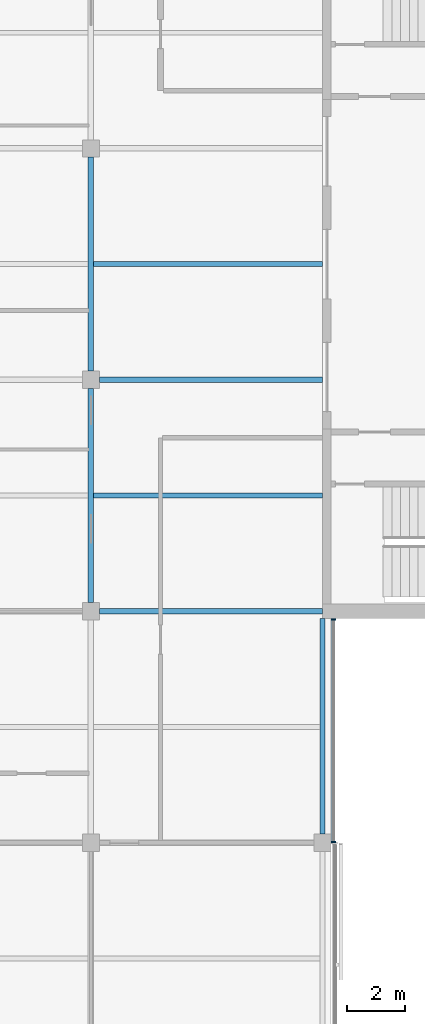
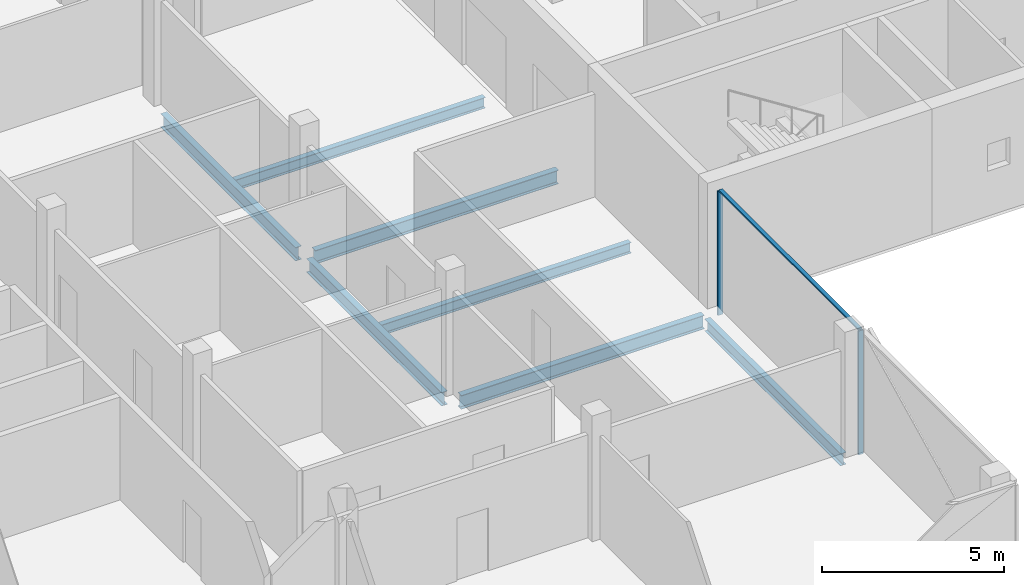
# One storey, part 4 of 16: 7 beams, 3 members, 1 element without a shape of its own.
"""IFC4 building model written with IfcOpenShell, lengths in metres."""

import ifcopenshell
import ifcopenshell.guid

model = None  # the IFC model being written
_history = None  # IfcOwnerHistory: only IFC2X3 demands one
_inside = {}  # id of a spatial element -> (the spatial element, [elements in it])
_under = {}  # id of a project, library or spatial element -> (it, [spatial elements below it])
_declared = {}  # id of a project -> (the project, [libraries it declares])
_typed = {}  # id of a type object -> (the type object, [elements of that type])
_made_of = {}  # id of a material, layer set ... -> (it, [elements and type objects made of it])


def new_model(schema):
    """Start an empty IFC model of exactly this schema.

    Asked for "IFC4X3", IfcOpenShell would pick the latest addendum, in which some entities
    have other attributes; the version numbers below select the first issue.
    IFC2X3 requires an IfcOwnerHistory on every rooted entity: one is made here for all.
    """
    global model, _history
    if schema == "IFC4X3":
        model = ifcopenshell.file(schema_version=(4, 3, 0, 0))
    else:
        model = ifcopenshell.file(schema=schema)
    _inside.clear()
    _under.clear()
    _declared.clear()
    _typed.clear()
    _made_of.clear()
    _history = None
    if model.schema == "IFC2X3":
        org = make("IfcOrganization", Name="unknown")
        user = make(
            "IfcPersonAndOrganization",
            ThePerson=make("IfcPerson", FamilyName="unknown"),
            TheOrganization=org,
        )
        app = make(
            "IfcApplication",
            ApplicationDeveloper=org,
            Version="unknown",
            ApplicationFullName="unknown",
            ApplicationIdentifier="unknown",
        )
        _history = make(
            "IfcOwnerHistory",
            OwningUser=user,
            OwningApplication=app,
            ChangeAction="ADDED",
            CreationDate=0,
        )
    return model


def make(cls, **values):
    """One entity of the class cls with the attributes given. An attribute that is None is left unset."""
    return model.create_entity(
        cls, **{name: value for name, value in values.items() if value is not None}
    )


def rooted(cls, **values):
    """An entity with a GlobalId (a new one), such as an element, a storey or a relation."""
    return make(cls, GlobalId=ifcopenshell.guid.new(), OwnerHistory=_history, **values)


def si_unit(unit_type, name, prefix=None):
    """IfcSIUnit, for example si_unit("LENGTHUNIT", "METRE", prefix="MILLI")."""
    return make("IfcSIUnit", UnitType=unit_type, Prefix=prefix, Name=name)


def assignment(units):
    """IfcUnitAssignment: the units of a project."""
    return None if units is None else make("IfcUnitAssignment", Units=units)


def point(xyz):
    """IfcCartesianPoint."""
    return None if xyz is None else make("IfcCartesianPoint", Coordinates=xyz)


def direction(xyz):
    """IfcDirection."""
    return None if xyz is None else make("IfcDirection", DirectionRatios=xyz)


def frame(location, z_axis=None, x_axis=None):
    """IfcAxis2Placement3D, a coordinate frame: its origin and axes. An axis left out is left unset."""
    return make(
        "IfcAxis2Placement3D",
        Location=point(location),
        Axis=direction(z_axis),
        RefDirection=direction(x_axis),
    )


def frame_2d(location, x_axis=None):
    """IfcAxis2Placement2D, a coordinate frame in the plane: its origin and x axis."""
    return make(
        "IfcAxis2Placement2D", Location=point(location), RefDirection=direction(x_axis)
    )


def origin():
    """The frame at (0, 0, 0) with its axes left unset."""
    return frame((0.0, 0.0, 0.0))


def origin_2d():
    """The frame at (0, 0) in the plane with its x axis left unset."""
    return frame_2d((0.0, 0.0))


def place(relative_to, where):
    """IfcLocalPlacement: puts the frame where relative to a parent placement (None: the world)."""
    return make(
        "IfcLocalPlacement", PlacementRelTo=relative_to, RelativePlacement=where
    )


def context(
    kind, dimensions, precision=None, world=None, true_north=None, identifier=None
):
    """IfcGeometricRepresentationContext, for example the 3D "Model" context."""
    return make(
        "IfcGeometricRepresentationContext",
        ContextIdentifier=identifier,
        ContextType=kind,
        CoordinateSpaceDimension=dimensions,
        Precision=precision,
        WorldCoordinateSystem=world,
        TrueNorth=true_north,
    )


def subcontext(parent, identifier, kind, view, scale=None):
    """IfcGeometricRepresentationSubContext, for example "Body" below "Model"."""
    return make(
        "IfcGeometricRepresentationSubContext",
        ContextIdentifier=identifier,
        ContextType=kind,
        ParentContext=parent,
        TargetScale=scale,
        TargetView=view,
    )


def project(units=None, contexts=None):
    """IfcProject with its units and contexts."""
    return rooted(
        "IfcProject",
        Name="project",
        RepresentationContexts=contexts,
        UnitsInContext=assignment(units),
    )


def spatial(cls, under=None, at=None, **own):
    """A site, building, storey or space (cls), placed at a placement, below another one or the project."""
    s = rooted(cls, ObjectPlacement=at, **own)
    if under is not None:
        _under.setdefault(under.id(), (under, []))[1].append(s)
    return s


def profile(cls, at=None, kind="AREA", **sizes):
    """A parametric profile (cls). Its sizes go by their IFC names, for example OverallWidth=200.0."""
    return make(cls, ProfileType=kind, Position=at, **sizes)


def rectangle(**sizes):
    """IfcRectangleProfileDef."""
    return profile("IfcRectangleProfileDef", **sizes)


def i_section(**sizes):
    """IfcIShapeProfileDef."""
    return profile("IfcIShapeProfileDef", **sizes)


def extrude(swept, where, along, depth):
    """IfcExtrudedAreaSolid: the profile swept, set in the frame where, extruded along a direction by depth."""
    return make(
        "IfcExtrudedAreaSolid",
        SweptArea=swept,
        Position=where,
        ExtrudedDirection=direction(along),
        Depth=depth,
    )


def shape(context_of_items, identifier, shape_type, items):
    """IfcShapeRepresentation: the items that make up one representation, for example the "Body"."""
    return make(
        "IfcShapeRepresentation",
        ContextOfItems=context_of_items,
        RepresentationIdentifier=identifier,
        RepresentationType=shape_type,
        Items=items,
    )


def material(Name=None, Category=None):
    """IfcMaterial."""
    return make("IfcMaterial", Name=Name, Category=Category)


def material_profile(
    of_material, cross_section, Name=None, Category=None, Priority=None
):
    """IfcMaterialProfile: a cross section and its material."""
    return make(
        "IfcMaterialProfile",
        Name=Name,
        Material=of_material,
        Profile=cross_section,
        Priority=Priority,
        Category=Category,
    )


def profile_set(profiles, Name=None, composite=None):
    """IfcMaterialProfileSet."""
    return make(
        "IfcMaterialProfileSet",
        Name=Name,
        MaterialProfiles=profiles,
        CompositeProfile=composite,
    )


def made_of(thing, what):
    """Note that an element or type object is made of a material, layer set ...; save() writes the relation."""
    if what is not None:
        _made_of.setdefault(what.id(), (what, []))[1].append(thing)
    return thing


def type_object(cls, material=None, **own):
    """A type object (cls), such as IfcWallType, which elements share."""
    return made_of(rooted(cls, **own), material)


def element(
    cls,
    number,
    at=None,
    inside=None,
    cuts=None,
    type_object=None,
    material=None,
    context=None,
    identifier="Body",
    shape_type=None,
    held_by="IfcProductDefinitionShape",
    body=None,
    shapes=None,
    **own,
):
    """One element of the class cls, such as IfcWall. Its Tag is "e" and its number.

    at: its placement. inside: the storey or other place that contains it. cuts: it is an
    opening in that element (IfcRelVoidsElement). A single representation is given by context,
    identifier, shape_type and body (its items); several are given by shapes. held_by: the class
    of the entity that holds the representations. save() writes the other relations.
    """
    e = rooted(cls, Tag="e%d" % number, ObjectPlacement=at, **own)
    if body is not None:
        shapes = [shape(context, identifier, shape_type, body)]
    if shapes is not None:
        e.Representation = make(held_by, Representations=shapes)
    if inside is not None:
        _inside.setdefault(inside.id(), (inside, []))[1].append(e)
    if cuts is not None:
        rooted(
            "IfcRelVoidsElement", RelatingBuildingElement=cuts, RelatedOpeningElement=e
        )
    if type_object is not None:
        _typed.setdefault(type_object.id(), (type_object, []))[1].append(e)
    return made_of(e, material)


def aggregate(whole, parts):
    """IfcRelAggregates: a whole, such as a stair, and the parts it consists of."""
    return rooted("IfcRelAggregates", RelatingObject=whole, RelatedObjects=parts)


def save(model, path):
    """Write the relations noted so far, then the file.

    IfcRelAggregates (storeys below a building ...), IfcRelContainedInSpatialStructure (elements
    in a storey), IfcRelDefinesByType, IfcRelAssociatesMaterial and IfcRelDeclares: one each for
    every whole, place, type object, material and project.
    """
    for whole, parts in _under.values():
        aggregate(whole, parts)
    for where, things in _inside.values():
        rooted(
            "IfcRelContainedInSpatialStructure",
            RelatedElements=things,
            RelatingStructure=where,
        )
    for kind, things in _typed.values():
        rooted("IfcRelDefinesByType", RelatedObjects=things, RelatingType=kind)
    for what, things in _made_of.values():
        rooted("IfcRelAssociatesMaterial", RelatedObjects=things, RelatingMaterial=what)
    for by, libraries in _declared.values():
        rooted("IfcRelDeclares", RelatingContext=by, RelatedDefinitions=libraries)
    model.write(path)


model = new_model("IFC4")

# Units and contexts
model_context = context("Model", 3, precision=1e-05, world=origin(), true_north=direction((0.0, 1.0)))
body_context = subcontext(model_context, "Body", "Model", "MODEL_VIEW")
ifc_project = project(units=[si_unit("LENGTHUNIT", "METRE"), si_unit("AREAUNIT", "SQUARE_METRE"), si_unit("VOLUMEUNIT", "CUBIC_METRE"), si_unit("PLANEANGLEUNIT", "RADIAN"), si_unit("MASSUNIT", "GRAM", prefix="KILO")], contexts=[model_context])

# Site, building, storey
site_placement = place(None, origin())
site = spatial("IfcSite", under=ifc_project, at=site_placement, CompositionType="ELEMENT")
building_placement = place(site_placement, origin())
building = spatial("IfcBuilding", under=site, at=building_placement, Name="Crosswind Convention Tower", CompositionType="ELEMENT")
storey_placement = place(building_placement, frame((0.0, 0.0, 340.699951171875)))
storey = spatial("IfcBuildingStorey", under=building, at=storey_placement, Name="L74", CompositionType="ELEMENT", Elevation=340.699951171875)

# Beams
ifc_material_1 = material(Name="Steel S355", Category="steel")
ifc_material_profile_1 = material_profile(ifc_material_1, i_section(OverallWidth=0.177734375, OverallDepth=0.406494140625, WebThickness=0.0078125, FlangeThickness=0.0126953125, FilletRadius=0.01025390625, at=origin_2d()), Name="UB 406x178x60")
ifc_profile_set_1 = profile_set([ifc_material_profile_1], Name="Steel S355")
beam_type_1 = type_object("IfcBeamType", Name="Edge beam UB 406x178x60", PredefinedType="SPANDREL", material=ifc_profile_set_1)
beam_placement = place(storey_placement, frame((137.0, 80.300048828125, -0.503173828125), z_axis=(0.0, 1.0, 0.0), x_axis=(-1.0, 0.0, 0.0)))
element("IfcBeam", 1, at=beam_placement, inside=storey, type_object=beam_type_1, Name="B15 L74 edge beam 12", PredefinedType="SPANDREL", context=body_context, shape_type="SweptSolid", body=[
    extrude(i_section(OverallWidth=0.177734375, OverallDepth=0.406494140625, WebThickness=0.0078125, FlangeThickness=0.0126953125, FilletRadius=0.01025390625, at=origin_2d()), origin(), (0.0, 0.0, 1.0), 7.449951171875),
])
ifc_material_profile_2 = material_profile(ifc_material_1, i_section(OverallWidth=0.18994140625, OverallDepth=0.45361328125, WebThickness=0.008544921875, FlangeThickness=0.0126953125, FilletRadius=0.01025390625, at=origin_2d()), Name="UB 457x191x67")
ifc_profile_set_2 = profile_set([ifc_material_profile_2], Name="Steel S355")
beam_type_2 = type_object("IfcBeamType", Name="Girder UB 457x191x67", PredefinedType="BEAM", material=ifc_profile_set_2)
for number, where, z_axis, x_axis, name in (
    (2, (129.0, 88.300048828125, -0.52685546875), (0.0, 1.0, 0.0), (-1.0, 0.0, 0.0), "B1 L74 girder 18"),
    (3, (129.0, 96.300048828125, -0.52685546875), (0.0, 1.0, 0.0), (-1.0, 0.0, 0.0), "B1 L74 girder 19"),
):
    element("IfcBeam", number, at=place(storey_placement, frame(where, z_axis=z_axis, x_axis=x_axis)), inside=storey, type_object=beam_type_2, Name=name, PredefinedType="BEAM", context=body_context, shape_type="SweptSolid", body=[
        extrude(i_section(OverallWidth=0.18994140625, OverallDepth=0.45361328125, WebThickness=0.008544921875, FlangeThickness=0.0126953125, FilletRadius=0.01025390625, at=origin_2d()), origin(), (0.0, 0.0, 1.0), 7.39990234375),
    ])
ifc_material_profile_3 = material_profile(ifc_material_1, i_section(OverallWidth=0.1904296875, OverallDepth=0.457275390625, WebThickness=0.009033203125, FlangeThickness=0.014404296875, FilletRadius=0.01025390625, at=origin_2d()), Name="UB 457x191x75")
ifc_profile_set_3 = profile_set([ifc_material_profile_3], Name="Steel S355")
beam_type_3 = type_object("IfcBeamType", Name="Girder at core wall UB 457x191x75", PredefinedType="BEAM", material=ifc_profile_set_3)
for number, where, z_axis, x_axis, name in (
    (4, (129.300048828125, 88.0, -0.528564453125), (1.0, 0.0, 0.0), (0.0, 1.0, 0.0), "B22 L74 girder at core wall 5"),
    (5, (129.300048828125, 96.0, -0.528564453125), (1.0, 0.0, 0.0), (0.0, 1.0, 0.0), "B22 L74 girder at core wall 6"),
):
    element("IfcBeam", number, at=place(storey_placement, frame(where, z_axis=z_axis, x_axis=x_axis)), inside=storey, type_object=beam_type_3, Name=name, PredefinedType="BEAM", context=body_context, shape_type="SweptSolid", body=[
        extrude(i_section(OverallWidth=0.1904296875, OverallDepth=0.457275390625, WebThickness=0.009033203125, FlangeThickness=0.014404296875, FilletRadius=0.01025390625, at=origin_2d()), origin(), (0.0, 0.0, 1.0), 7.699951171875),
    ])

# Curtain wall, members
ifc_material_2 = material(Name="Aluminium unitised curtain wall", Category="aluminium")
curtain_wall_type = type_object("IfcCurtainWallType", Name="CORE END SLOT WALL 160", PredefinedType="USERDEFINED", material=ifc_material_2)
curtain_wall_placement = place(storey_placement, origin())
curtain_wall = element("IfcCurtainWall", 6, at=curtain_wall_placement, inside=storey, type_object=curtain_wall_type, Name="CW6 L74 S-E.1-2 slot", ObjectType="UNITISED", PredefinedType="USERDEFINED")
ifc_material_3 = material(Name="Aluminium mullion", Category="aluminium")
ifc_material_profile_4 = material_profile(ifc_material_3, rectangle(XDim=0.159912109375, YDim=0.050048828125, at=origin_2d()), Name="AL 160X50")
ifc_profile_set_4 = profile_set([ifc_material_profile_4], Name="Aluminium mullion")
member_type_1 = type_object("IfcMemberType", Name="MULLION 50X160", PredefinedType="MULLION", material=ifc_profile_set_4)
member_1_placement = place(storey_placement, frame((137.3798828125, 80.02490234375, -0.300048828125), z_axis=(0.0, 0.0, 1.0), x_axis=(1.0, 0.0, 0.0)))
member_1 = element("IfcMember", 7, at=member_1_placement, type_object=member_type_1, Name="CW6 mullion 1", PredefinedType="MULLION", context=body_context, shape_type="SweptSolid", body=[
    extrude(rectangle(XDim=0.159912109375, YDim=0.050048828125, at=origin_2d()), origin(), (0.0, 0.0, 1.0), 4.150146484375),
])
member_2_placement = place(storey_placement, frame((137.3798828125, 87.72509765625, -0.300048828125), z_axis=(0.0, 0.0, 1.0), x_axis=(1.0, 0.0, 0.0)))
member_2 = element("IfcMember", 8, at=member_2_placement, type_object=member_type_1, Name="CW6 mullion 2", PredefinedType="MULLION", context=body_context, shape_type="SweptSolid", body=[
    extrude(rectangle(XDim=0.159912109375, YDim=0.050048828125, at=origin_2d()), origin(), (0.0, 0.0, 1.0), 4.150146484375),
])

# Beams
ifc_material_profile_5 = material_profile(ifc_material_1, i_section(OverallWidth=0.17138671875, OverallDepth=0.355712890625, WebThickness=0.00732421875, FlangeThickness=0.011474609375, FilletRadius=0.01025390625, at=origin_2d()), Name="UB 356x171x51")
ifc_profile_set_5 = profile_set([ifc_material_profile_5], Name="Steel S355")
beam_type_4 = type_object("IfcBeamType", Name="Secondary beam UB 356x171x51", PredefinedType="JOIST", material=ifc_profile_set_5)
for number, where, z_axis, x_axis, name in (
    (9, (129.094970703125, 92.0, -0.477783203125), (1.0, 0.0, 0.0), (0.0, 1.0, 0.0), "B8 L74 secondary beam 17"),
    (10, (129.094970703125, 100.0, -0.477783203125), (1.0, 0.0, 0.0), (0.0, 1.0, 0.0), "B8 L74 secondary beam 18"),
):
    element("IfcBeam", number, at=place(storey_placement, frame(where, z_axis=z_axis, x_axis=x_axis)), inside=storey, type_object=beam_type_4, Name=name, PredefinedType="JOIST", context=body_context, shape_type="SweptSolid", body=[
        extrude(i_section(OverallWidth=0.17138671875, OverallDepth=0.355712890625, WebThickness=0.00732421875, FlangeThickness=0.011474609375, FilletRadius=0.01025390625, at=origin_2d()), origin(), (0.0, 0.0, 1.0), 7.905029296875),
    ])

# Member
ifc_material_4 = material(Name="Aluminium transom", Category="aluminium")
ifc_material_profile_6 = material_profile(ifc_material_4, rectangle(XDim=0.1201171875, YDim=0.050048828125, at=origin_2d()), Name="AL 120X50")
ifc_profile_set_6 = profile_set([ifc_material_profile_6], Name="Aluminium transom")
member_type_2 = type_object("IfcMemberType", Name="TRANSOM 50X120", PredefinedType="USERDEFINED", material=ifc_profile_set_6)
member_3_placement = place(storey_placement, frame((137.3798828125, 80.050048828125, 3.875), z_axis=(0.0, 1.0, 0.0), x_axis=(-1.0, 0.0, 0.0)))
member_3 = element("IfcMember", 11, at=member_3_placement, type_object=member_type_2, Name="CW6 transom", ObjectType="TRANSOM", PredefinedType="USERDEFINED", context=body_context, shape_type="SweptSolid", body=[
    extrude(rectangle(XDim=0.1201171875, YDim=0.050048828125, at=origin_2d()), origin(), (0.0, 0.0, 1.0), 7.64990234375),
])

aggregate(curtain_wall, [member_1, member_2, member_3])

save(model, "model.ifc")
